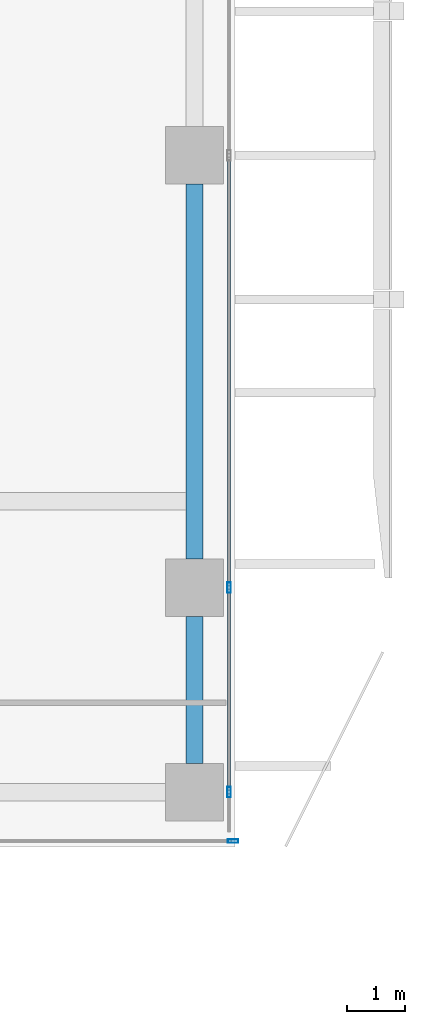
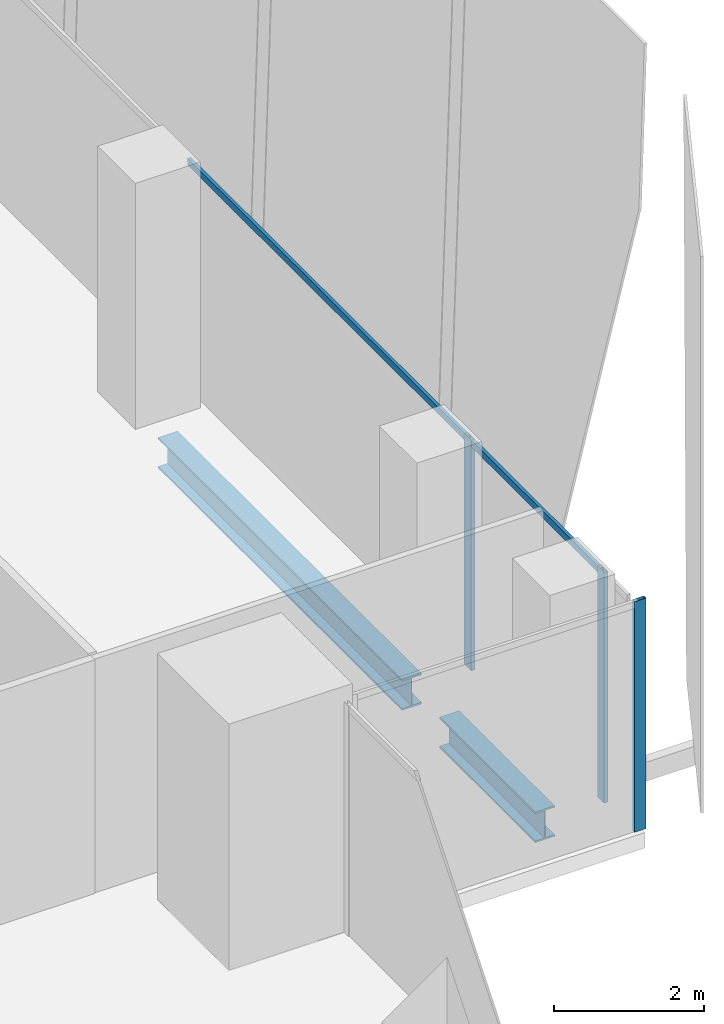
# One storey, part 11 of 35: 5 members, 2 beams, 2 elements without a shape of their own.
"""IFC4 building model written with IfcOpenShell, lengths in metres."""

from ifc_helpers import new_model, si_unit, direction, frame, origin, origin_2d, place, context, subcontext, project, spatial, hollow_rectangle, i_section, extrude, source, transform, mapped, material, material_profile, profile_set, type_object, element, aggregate, save


model = new_model("IFC4")

# Units and contexts
model_context = context("Model", 3, precision=1e-05, world=origin(), true_north=direction((0.0, 1.0)))
body_context = subcontext(model_context, "Body", "Model", "MODEL_VIEW")
ifc_project = project(units=[si_unit("LENGTHUNIT", "METRE"), si_unit("AREAUNIT", "SQUARE_METRE"), si_unit("VOLUMEUNIT", "CUBIC_METRE"), si_unit("PLANEANGLEUNIT", "RADIAN"), si_unit("MASSUNIT", "GRAM", prefix="KILO")], contexts=[model_context])

# Site, building, storey
site_placement = place(None, origin())
site = spatial("IfcSite", under=ifc_project, at=site_placement, CompositionType="ELEMENT")
building_placement = place(site_placement, origin())
building = spatial("IfcBuilding", under=site, at=building_placement, Name="Khomas Fold Tower", CompositionType="ELEMENT")
storey_placement = place(building_placement, frame((0.0, 0.0, 212.699951171875)))
storey = spatial("IfcBuildingStorey", under=building, at=storey_placement, Name="L47", CompositionType="ELEMENT", Elevation=212.699951171875)

# Beams
ifc_material_1 = material(Name="Steel S355", Category="steel")
ifc_material_profile_1 = material_profile(ifc_material_1, i_section(OverallWidth=0.300048828125, OverallDepth=0.5, WebThickness=0.014404296875, FlangeThickness=0.028076171875, at=origin_2d()), Name="HE 500 B")
ifc_profile_set_1 = profile_set([ifc_material_profile_1], Name="Steel S355")
beam_type = type_object("IfcBeamType", Name="HE 500 B spandrel SB3", PredefinedType="SPANDREL", material=ifc_profile_set_1)
shared_shape_1 = source(origin(), body_context, "Body", "SweptSolid", [
    extrude(i_section(OverallWidth=0.300048828125, OverallDepth=0.5, WebThickness=0.014404296875, FlangeThickness=0.028076171875, at=origin_2d()), origin(), (0.0, 0.0, 1.0), 2.550048828125),
])
beam_1_placement = place(storey_placement, frame((50.300048828125, 8.949951171875, -0.5), z_axis=(0.0, 1.0, 0.0), x_axis=(-1.0, 0.0, 0.0)))
element("IfcBeam", 1, at=beam_1_placement, inside=storey, type_object=beam_type, Name="SB3", PredefinedType="SPANDREL", context=body_context, shape_type="MappedRepresentation", body=[
    mapped(shared_shape_1, transform((0.0, 0.0, 0.0))),
])
shared_shape_2 = source(origin(), body_context, "Body", "SweptSolid", [
    extrude(i_section(OverallWidth=0.300048828125, OverallDepth=0.5, WebThickness=0.014404296875, FlangeThickness=0.028076171875, at=origin_2d()), origin(), (0.0, 0.0, 1.0), 6.5),
])
beam_2_placement = place(storey_placement, frame((50.300048828125, 12.5, -0.5), z_axis=(0.0, 1.0, 0.0), x_axis=(-1.0, 0.0, 0.0)))
element("IfcBeam", 2, at=beam_2_placement, inside=storey, type_object=beam_type, Name="SB3", PredefinedType="SPANDREL", context=body_context, shape_type="MappedRepresentation", body=[
    mapped(shared_shape_2, transform((0.0, 0.0, 0.0))),
])

# Curtain wall, member
ifc_material_2 = material(Name="Aluminium framed double glazing", Category="aluminium")
curtain_wall_type = type_object("IfcCurtainWallType", Name="SK-Unitised clear-glass wall, office floors CW2", PredefinedType="NOTDEFINED", material=ifc_material_2)
curtain_wall_1_placement = place(storey_placement, origin())
curtain_wall_1 = element("IfcCurtainWall", 3, at=curtain_wall_1_placement, inside=storey, type_object=curtain_wall_type, Name="CW2 corner return L47 02", PredefinedType="NOTDEFINED")
ifc_material_3 = material(Name="Aluminium", Category="aluminium")
ifc_material_profile_2 = material_profile(ifc_material_3, hollow_rectangle(XDim=0.06005859375, YDim=0.179931640625, WallThickness=0.00390625, at=origin_2d()), Name="SK-Unitised clear-glass wall, office floors mullion CW2-M")
ifc_profile_set_2 = profile_set([ifc_material_profile_2], Name="Aluminium")
member_type_1 = type_object("IfcMemberType", Name="SK-Unitised clear-glass wall, office floors mullion CW2-M", PredefinedType="MULLION", material=ifc_profile_set_2)
shared_shape_3 = source(origin(), body_context, "Body", "SweptSolid", [
    extrude(hollow_rectangle(XDim=0.06005859375, YDim=0.179931640625, WallThickness=0.00390625, at=origin_2d()), origin(), (0.0, 0.0, 1.0), 3.75),
])
member_1_placement = place(storey_placement, frame((50.969970703125, 7.60009765625, 0.0), z_axis=(0.0, 0.0, 1.0), x_axis=(0.0, 1.0, 0.0)))
member_1 = element("IfcMember", 4, at=member_1_placement, type_object=member_type_1, Name="CW2 mullion 2", PredefinedType="MULLION", context=body_context, shape_type="MappedRepresentation", body=[
    mapped(shared_shape_3, transform((0.0, 0.0, 0.0))),
])
aggregate(curtain_wall_1, [member_1])

# Curtain wall, members
curtain_wall_2_placement = place(storey_placement, origin())
curtain_wall_2 = element("IfcCurtainWall", 5, at=curtain_wall_2_placement, inside=storey, type_object=curtain_wall_type, Name="CW2 run L47 03-0", PredefinedType="NOTDEFINED")
member_2_placement = place(storey_placement, frame((50.89990234375, 8.449951171875, 0.0), z_axis=(0.0, 0.0, 1.0), x_axis=(-1.0, 0.0, 0.0)))
member_2 = element("IfcMember", 6, at=member_2_placement, type_object=member_type_1, Name="CW2 mullion 2", PredefinedType="MULLION", context=body_context, shape_type="MappedRepresentation", body=[
    mapped(shared_shape_3, transform((0.0, 0.0, 0.0))),
])
member_3_placement = place(storey_placement, frame((50.89990234375, 12.0, 0.0), z_axis=(0.0, 0.0, 1.0), x_axis=(-1.0, 0.0, 0.0)))
member_3 = element("IfcMember", 7, at=member_3_placement, type_object=member_type_1, Name="CW2 mullion 3", PredefinedType="MULLION", context=body_context, shape_type="MappedRepresentation", body=[
    mapped(shared_shape_3, transform((0.0, 0.0, 0.0))),
])
ifc_material_4 = material(Name="Aluminium", Category="aluminium")
ifc_material_profile_3 = material_profile(ifc_material_4, hollow_rectangle(XDim=0.050048828125, YDim=0.110107421875, WallThickness=0.00390625, at=origin_2d()), Name="SK-Unitised clear-glass wall, office floors transom CW2-T")
ifc_profile_set_3 = profile_set([ifc_material_profile_3], Name="Aluminium")
member_type_2 = type_object("IfcMemberType", Name="SK-Unitised clear-glass wall, office floors transom CW2-T", PredefinedType="USERDEFINED", material=ifc_profile_set_3)
shared_shape_4 = source(origin(), body_context, "Body", "SweptSolid", [
    extrude(hollow_rectangle(XDim=0.050048828125, YDim=0.110107421875, WallThickness=0.00390625, at=origin_2d()), origin(), (0.0, 0.0, 1.0), 3.489990234375),
])
member_4_placement = place(storey_placement, frame((50.89990234375, 8.47998046875, 3.695068359375), z_axis=(0.0, 1.0, 0.0), x_axis=(-1.0, 0.0, 0.0)))
member_4 = element("IfcMember", 8, at=member_4_placement, type_object=member_type_2, Name="CW2 transom 2", ObjectType="TRANSOM", PredefinedType="USERDEFINED", context=body_context, shape_type="MappedRepresentation", body=[
    mapped(shared_shape_4, transform((0.0, 0.0, 0.0))),
])
shared_shape_5 = source(origin(), body_context, "Body", "SweptSolid", [
    extrude(hollow_rectangle(XDim=0.050048828125, YDim=0.110107421875, WallThickness=0.00390625, at=origin_2d()), origin(), (0.0, 0.0, 1.0), 7.43994140625),
])
member_5_placement = place(storey_placement, frame((50.89990234375, 12.030029296875, 3.695068359375), z_axis=(0.0, 1.0, 0.0), x_axis=(-1.0, 0.0, 0.0)))
member_5 = element("IfcMember", 9, at=member_5_placement, type_object=member_type_2, Name="CW2 transom 3", ObjectType="TRANSOM", PredefinedType="USERDEFINED", context=body_context, shape_type="MappedRepresentation", body=[
    mapped(shared_shape_5, transform((0.0, 0.0, 0.0))),
])
aggregate(curtain_wall_2, [member_2, member_3, member_4, member_5])

save(model, "model.ifc")
